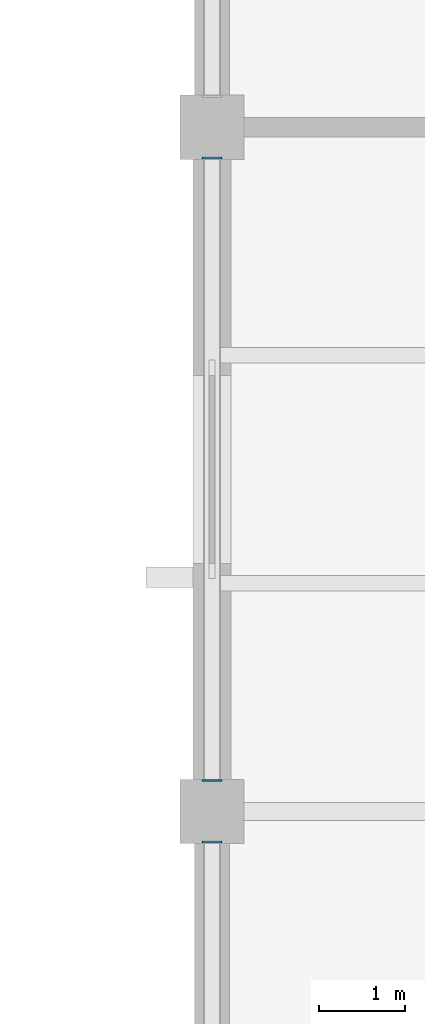
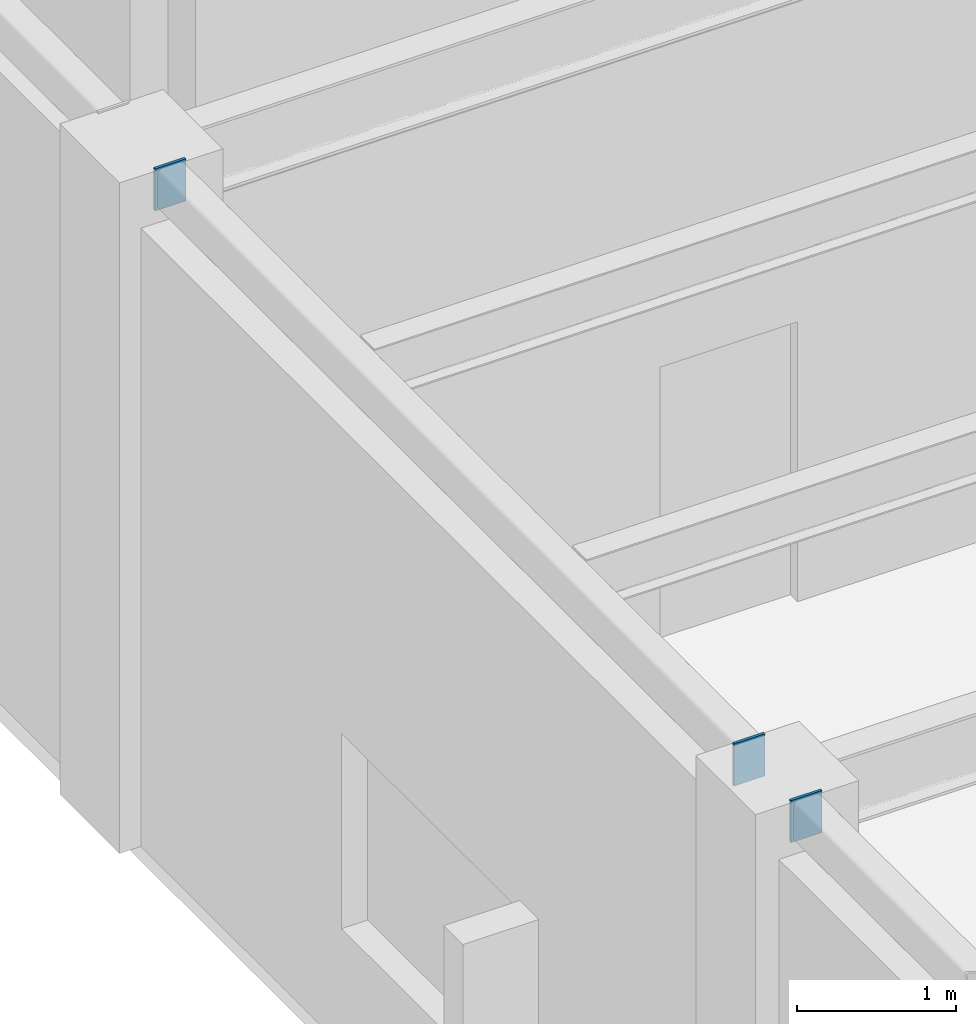
# One storey, part 95 of 138: 3 discrete accessories.
"""IFC4 building model written with IfcOpenShell, lengths in metres."""

from ifc_helpers import new_model, si_unit, direction, frame, origin, origin_2d, place, context, subcontext, project, spatial, rectangle, extrude, material, layer, layer_set, type_object, element, save


model = new_model("IFC4")

# Units and contexts
model_context = context("Model", 3, precision=1e-05, world=origin(), true_north=direction((0.0, 1.0)))
body_context = subcontext(model_context, "Body", "Model", "MODEL_VIEW")
ifc_project = project(units=[si_unit("LENGTHUNIT", "METRE"), si_unit("AREAUNIT", "SQUARE_METRE"), si_unit("VOLUMEUNIT", "CUBIC_METRE"), si_unit("PLANEANGLEUNIT", "RADIAN"), si_unit("MASSUNIT", "GRAM", prefix="KILO")], contexts=[model_context])

# Site, building, storey
site_placement = place(None, origin())
site = spatial("IfcSite", under=ifc_project, at=site_placement, CompositionType="ELEMENT")
building_placement = place(site_placement, origin())
building = spatial("IfcBuilding", under=site, at=building_placement, Name="Kranzveld Transit Interchange", CompositionType="ELEMENT")
storey_placement = place(building_placement, origin())
storey = spatial("IfcBuildingStorey", under=building, at=storey_placement, Name="L00", CompositionType="ELEMENT", Elevation=0.0)

# Discrete accessories
ifc_material = material(Name="Steel S355JR", Category="steel")
ifc_layer = layer(ifc_material, 0.02001953125)
ifc_layer_set = layer_set([ifc_layer], Name="Steel S355JR")
discrete_accessory_type = type_object("IfcDiscreteAccessoryType", Name="Hollow Section End Cap Bracket 20 S355JR", PredefinedType="BRACKET", material=ifc_layer_set)
for number, where, z_axis, x_axis, name in (
    (1, (0.0, 55.631103515625, 5.0), (0.0, 1.0, 0.0), (-1.0, 0.0, 0.0), "Hollow Section End Cap SP-RHS300-2"),
    (2, (0.0, 56.368896484375, 5.0), (0.0, -1.0, 0.0), (1.0, 0.0, 0.0), "Hollow Section End Cap SP-RHS300-1"),
    (3, (0.0, 63.631103515625, 5.0), (0.0, 1.0, 0.0), (-1.0, 0.0, 0.0), "Hollow Section End Cap SP-RHS300-2"),
):
    element("IfcDiscreteAccessory", number, at=place(storey_placement, frame(where, z_axis=z_axis, x_axis=x_axis)), inside=storey, type_object=discrete_accessory_type, Name=name, PredefinedType="BRACKET", context=body_context, shape_type="SweptSolid", body=[
        extrude(rectangle(XDim=0.22412109375, YDim=0.323974609375, at=origin_2d()), origin(), (0.0, 0.0, 1.0), 0.019775390625),
    ])

save(model, "model.ifc")
